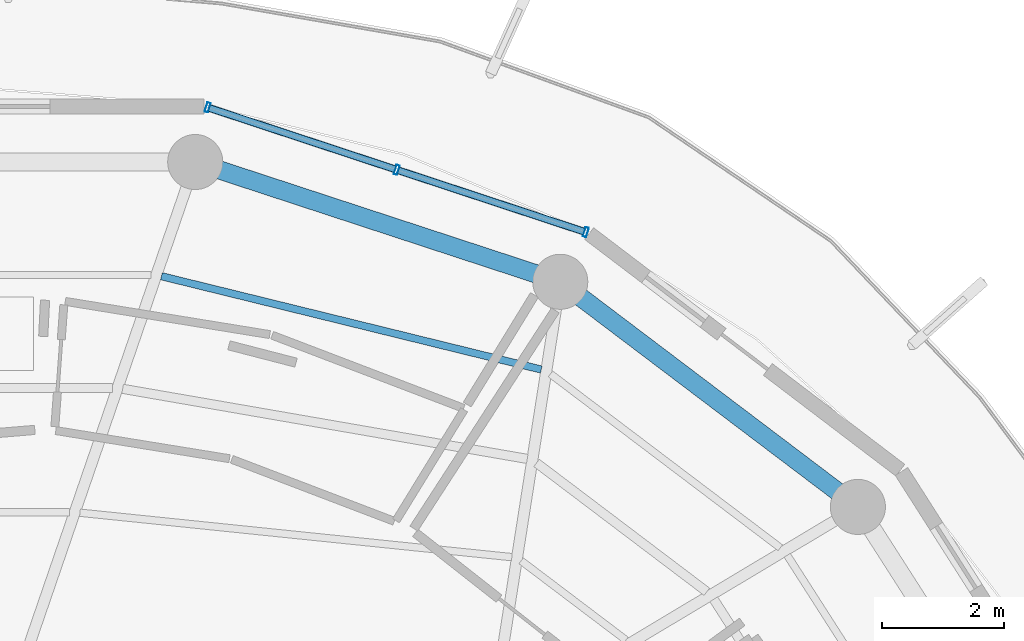
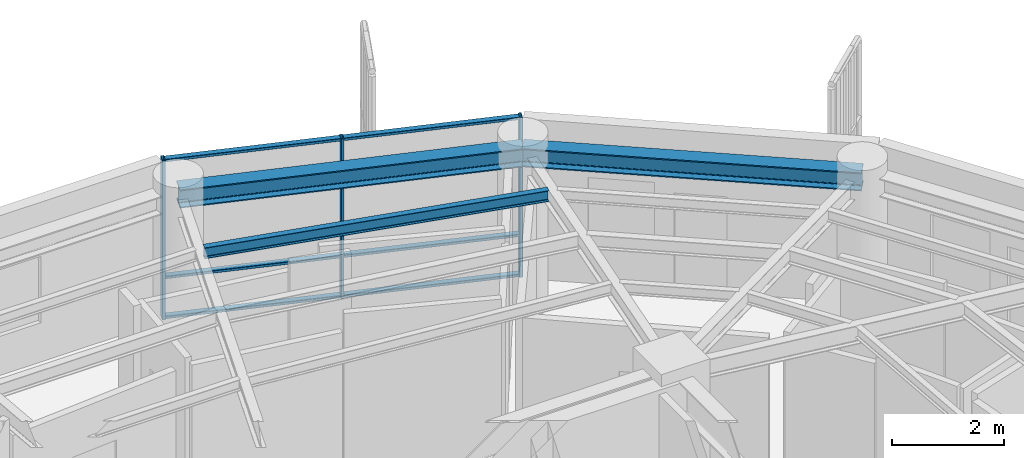
# One storey, part 13 of 22: 9 members, 3 beams, 1 element without a shape of its own.
"""IFC4 building model written with IfcOpenShell, lengths in metres."""

from ifc_helpers import new_model, si_unit, direction, frame, origin, origin_2d, place, context, subcontext, project, spatial, hollow_rectangle, i_section, extrude, material, layer, layer_set, material_profile, profile_set, type_object, element, aggregate, save


model = new_model("IFC4")

# Units and contexts
model_context = context("Model", 3, precision=1e-05, world=origin(), true_north=direction((0.0, 1.0)))
body_context = subcontext(model_context, "Body", "Model", "MODEL_VIEW")
ifc_project = project(units=[si_unit("LENGTHUNIT", "METRE"), si_unit("AREAUNIT", "SQUARE_METRE"), si_unit("VOLUMEUNIT", "CUBIC_METRE"), si_unit("PLANEANGLEUNIT", "RADIAN"), si_unit("MASSUNIT", "GRAM", prefix="KILO")], contexts=[model_context])

# Site, building, storey
site_placement = place(None, origin())
site = spatial("IfcSite", under=ifc_project, at=site_placement, CompositionType="ELEMENT")
building_placement = place(site_placement, origin())
building = spatial("IfcBuilding", under=site, at=building_placement, Name="Kelanora Arch Commons", CompositionType="ELEMENT")
storey_placement = place(building_placement, frame((0.0, 0.0, 259.949951171875)))
storey = spatial("IfcBuildingStorey", under=building, at=storey_placement, Name="L66", CompositionType="ELEMENT", Elevation=259.949951171875)

# Beams
ifc_material_1 = material(Name="Steel S355", Category="steel")
ifc_material_profile_1 = material_profile(ifc_material_1, i_section(OverallWidth=0.1201171875, OverallDepth=0.239990234375, WebThickness=0.006103515625, FlangeThickness=0.009765625, FilletRadius=0.014892578125, at=origin_2d()), Name="IPE240")
ifc_profile_set_1 = profile_set([ifc_material_profile_1], Name="Steel S355")
beam_type_1 = type_object("IfcBeamType", Name="BM-JST-02", PredefinedType="JOIST", material=ifc_profile_set_1)
beam_1_placement = place(storey_placement, frame((82.82958984375, 70.837890625, 3.3701171875), z_axis=(-0.971109719488, 0.23863342749, 0.0), x_axis=(-0.23863342749, -0.971109719488, 0.0)))
element("IfcBeam", 1, at=beam_1_placement, inside=storey, type_object=beam_type_1, Name="Secondary Chord Joist BJC-06 L66", PredefinedType="JOIST", context=body_context, shape_type="SweptSolid", body=[
    extrude(i_section(OverallWidth=0.1201171875, OverallDepth=0.239990234375, WebThickness=0.006103515625, FlangeThickness=0.009765625, FilletRadius=0.014892578125, at=origin_2d()), origin(), (0.0, 0.0, 1.0), 6.39208984375),
])
ifc_material_profile_2 = material_profile(ifc_material_1, i_section(OverallWidth=0.300048828125, OverallDepth=0.39990234375, WebThickness=0.013427734375, FlangeThickness=0.02392578125, FilletRadius=0.027099609375, at=origin_2d()), Name="HEB400")
ifc_profile_set_2 = profile_set([ifc_material_profile_2], Name="Steel S355")
beam_type_2 = type_object("IfcBeamType", Name="BM-SPN-Z4", PredefinedType="SPANDREL", material=ifc_profile_set_2)
beam_2_placement = place(storey_placement, frame((88.00341796875, 68.593017578125, 3.2900390625), z_axis=(-0.797509460967, 0.603306439273, 0.0), x_axis=(-0.603306439273, -0.797509460967, 0.0)))
element("IfcBeam", 2, at=beam_2_placement, inside=storey, type_object=beam_type_2, Name="Perimeter Spandrel Beam BS-04 L66", PredefinedType="SPANDREL", context=body_context, shape_type="SweptSolid", body=[
    extrude(i_section(OverallWidth=0.300048828125, OverallDepth=0.39990234375, WebThickness=0.013427734375, FlangeThickness=0.02392578125, FilletRadius=0.027099609375, at=origin_2d()), origin(), (0.0, 0.0, 1.0), 6.098388671875),
])
beam_3_placement = place(storey_placement, frame((83.139892578125, 72.272216796875, 3.2900390625), z_axis=(-0.950165923039, 0.311744636996, 0.0), x_axis=(-0.311744636996, -0.950165923039, 0.0)))
element("IfcBeam", 3, at=beam_3_placement, inside=storey, type_object=beam_type_2, Name="Perimeter Spandrel Beam BS-06 L66", PredefinedType="SPANDREL", context=body_context, shape_type="SweptSolid", body=[
    extrude(i_section(OverallWidth=0.300048828125, OverallDepth=0.39990234375, WebThickness=0.013427734375, FlangeThickness=0.02392578125, FilletRadius=0.027099609375, at=origin_2d()), origin(), (0.0, 0.0, 1.0), 6.278564453125),
])

# Curtain wall, members
ifc_material_2 = material(Name="Terracotta ceramic-fritted low-E glass and aluminium", Category="masonry")
ifc_layer = layer(ifc_material_2, 0.18994140625)
ifc_layer_set = layer_set([ifc_layer], Name="Terracotta ceramic-fritted low-E glass and aluminium")
curtain_wall_type = type_object("IfcCurtainWallType", Name="CW-SYS-03", PredefinedType="NOTDEFINED", material=ifc_layer_set)
curtain_wall_placement = place(storey_placement, origin())
curtain_wall = element("IfcCurtainWall", 4, at=curtain_wall_placement, inside=storey, type_object=curtain_wall_type, Name="Unitised Curtain Wall L66-B03", PredefinedType="NOTDEFINED")
ifc_material_3 = material(Name="Powder-coated aluminium terracotta", Category="masonry")
ifc_material_profile_3 = material_profile(ifc_material_3, hollow_rectangle(XDim=0.159912109375, YDim=0.06005859375, WallThickness=0.0048828125, InnerFilletRadius=0.0048828125, OuterFilletRadius=0.010009765625, at=origin_2d()), Name="CWM160x60")
ifc_profile_set_3 = profile_set([ifc_material_profile_3], Name="Powder-coated aluminium terracotta")
member_type_1 = type_object("IfcMemberType", Name="CWM-STD", PredefinedType="MULLION", material=ifc_profile_set_3)
member_1_placement = place(storey_placement, frame((83.557373046875, 73.0830078125, 0.0), z_axis=(0.0, 0.0, 1.0), x_axis=(-0.313252785344, -0.949669780752, 0.0)))
member_1 = element("IfcMember", 5, at=member_1_placement, type_object=member_type_1, Name="CW-03 mullion 1", PredefinedType="MULLION", context=body_context, shape_type="SweptSolid", body=[
    extrude(hollow_rectangle(XDim=0.159912109375, YDim=0.06005859375, WallThickness=0.0048828125, InnerFilletRadius=0.0048828125, OuterFilletRadius=0.010009765625, at=origin_2d()), origin(), (0.0, 0.0, 1.0), 3.47509765625),
])
member_2_placement = place(storey_placement, frame((80.467041015625, 74.102294921875, 0.0), z_axis=(0.0, 0.0, 1.0), x_axis=(-0.313252785344, -0.949669780752, 0.0)))
member_2 = element("IfcMember", 6, at=member_2_placement, type_object=member_type_1, Name="CW-03 mullion 2", PredefinedType="MULLION", context=body_context, shape_type="SweptSolid", body=[
    extrude(hollow_rectangle(XDim=0.159912109375, YDim=0.06005859375, WallThickness=0.0048828125, InnerFilletRadius=0.0048828125, OuterFilletRadius=0.010009765625, at=origin_2d()), origin(), (0.0, 0.0, 1.0), 3.47509765625),
])
member_3_placement = place(storey_placement, frame((77.376708984375, 75.12158203125, 0.0), z_axis=(0.0, 0.0, 1.0), x_axis=(-0.313252785344, -0.949669780752, 0.0)))
member_3 = element("IfcMember", 7, at=member_3_placement, type_object=member_type_1, Name="CW-03 mullion 3", PredefinedType="MULLION", context=body_context, shape_type="SweptSolid", body=[
    extrude(hollow_rectangle(XDim=0.159912109375, YDim=0.06005859375, WallThickness=0.0048828125, InnerFilletRadius=0.0048828125, OuterFilletRadius=0.010009765625, at=origin_2d()), origin(), (0.0, 0.0, 1.0), 3.47509765625),
])
ifc_material_profile_4 = material_profile(ifc_material_3, hollow_rectangle(XDim=0.1201171875, YDim=0.06005859375, WallThickness=0.0048828125, InnerFilletRadius=0.0048828125, OuterFilletRadius=0.010009765625, at=origin_2d()), Name="CWT120x60")
ifc_profile_set_4 = profile_set([ifc_material_profile_4], Name="Powder-coated aluminium terracotta")
member_type_2 = type_object("IfcMemberType", Name="CWT-STD", PredefinedType="USERDEFINED", material=ifc_profile_set_4)
member_4_placement = place(storey_placement, frame((83.52880859375, 73.09228515625, 0.030029296875), z_axis=(-0.949672315102, 0.313245102003, 0.0), x_axis=(-0.313245102003, -0.949672315102, 0.0)))
member_4 = element("IfcMember", 8, at=member_4_placement, type_object=member_type_2, Name="CW-03 transom 1.1", ObjectType="TRANSOM", PredefinedType="USERDEFINED", context=body_context, shape_type="SweptSolid", body=[
    extrude(hollow_rectangle(XDim=0.1201171875, YDim=0.06005859375, WallThickness=0.0048828125, InnerFilletRadius=0.0048828125, OuterFilletRadius=0.010009765625, at=origin_2d()), origin(), (0.0, 0.0, 1.0), 3.19384765625),
])
member_5_placement = place(storey_placement, frame((83.52880859375, 73.09228515625, 0.900146484375), z_axis=(-0.949672315102, 0.313245102003, 0.0), x_axis=(-0.313245102003, -0.949672315102, 0.0)))
member_5 = element("IfcMember", 9, at=member_5_placement, type_object=member_type_2, Name="CW-03 transom 1.2", ObjectType="TRANSOM", PredefinedType="USERDEFINED", context=body_context, shape_type="SweptSolid", body=[
    extrude(hollow_rectangle(XDim=0.1201171875, YDim=0.06005859375, WallThickness=0.0048828125, InnerFilletRadius=0.0048828125, OuterFilletRadius=0.010009765625, at=origin_2d()), origin(), (0.0, 0.0, 1.0), 3.19384765625),
])
member_6_placement = place(storey_placement, frame((83.52880859375, 73.09228515625, 3.445068359375), z_axis=(-0.949672315102, 0.313245102003, 0.0), x_axis=(-0.313245102003, -0.949672315102, 0.0)))
member_6 = element("IfcMember", 10, at=member_6_placement, type_object=member_type_2, Name="CW-03 transom 1.3", ObjectType="TRANSOM", PredefinedType="USERDEFINED", context=body_context, shape_type="SweptSolid", body=[
    extrude(hollow_rectangle(XDim=0.1201171875, YDim=0.06005859375, WallThickness=0.0048828125, InnerFilletRadius=0.0048828125, OuterFilletRadius=0.010009765625, at=origin_2d()), origin(), (0.0, 0.0, 1.0), 3.19384765625),
])
member_7_placement = place(storey_placement, frame((80.4384765625, 74.111572265625, 0.030029296875), z_axis=(-0.949649574195, 0.313314037719, 0.0), x_axis=(-0.313314037719, -0.949649574195, 0.0)))
member_7 = element("IfcMember", 11, at=member_7_placement, type_object=member_type_2, Name="CW-03 transom 2.1", ObjectType="TRANSOM", PredefinedType="USERDEFINED", context=body_context, shape_type="SweptSolid", body=[
    extrude(hollow_rectangle(XDim=0.1201171875, YDim=0.06005859375, WallThickness=0.0048828125, InnerFilletRadius=0.0048828125, OuterFilletRadius=0.010009765625, at=origin_2d()), origin(), (0.0, 0.0, 1.0), 3.194091796875),
])
member_8_placement = place(storey_placement, frame((80.4384765625, 74.111572265625, 0.900146484375), z_axis=(-0.949649574195, 0.313314037719, 0.0), x_axis=(-0.313314037719, -0.949649574195, 0.0)))
member_8 = element("IfcMember", 12, at=member_8_placement, type_object=member_type_2, Name="CW-03 transom 2.2", ObjectType="TRANSOM", PredefinedType="USERDEFINED", context=body_context, shape_type="SweptSolid", body=[
    extrude(hollow_rectangle(XDim=0.1201171875, YDim=0.06005859375, WallThickness=0.0048828125, InnerFilletRadius=0.0048828125, OuterFilletRadius=0.010009765625, at=origin_2d()), origin(), (0.0, 0.0, 1.0), 3.194091796875),
])
member_9_placement = place(storey_placement, frame((80.4384765625, 74.111572265625, 3.445068359375), z_axis=(-0.949649574195, 0.313314037719, 0.0), x_axis=(-0.313314037719, -0.949649574195, 0.0)))
member_9 = element("IfcMember", 13, at=member_9_placement, type_object=member_type_2, Name="CW-03 transom 2.3", ObjectType="TRANSOM", PredefinedType="USERDEFINED", context=body_context, shape_type="SweptSolid", body=[
    extrude(hollow_rectangle(XDim=0.1201171875, YDim=0.06005859375, WallThickness=0.0048828125, InnerFilletRadius=0.0048828125, OuterFilletRadius=0.010009765625, at=origin_2d()), origin(), (0.0, 0.0, 1.0), 3.194091796875),
])
aggregate(curtain_wall, [member_1, member_2, member_3, member_4, member_5, member_6, member_7, member_8, member_9])

save(model, "model.ifc")
